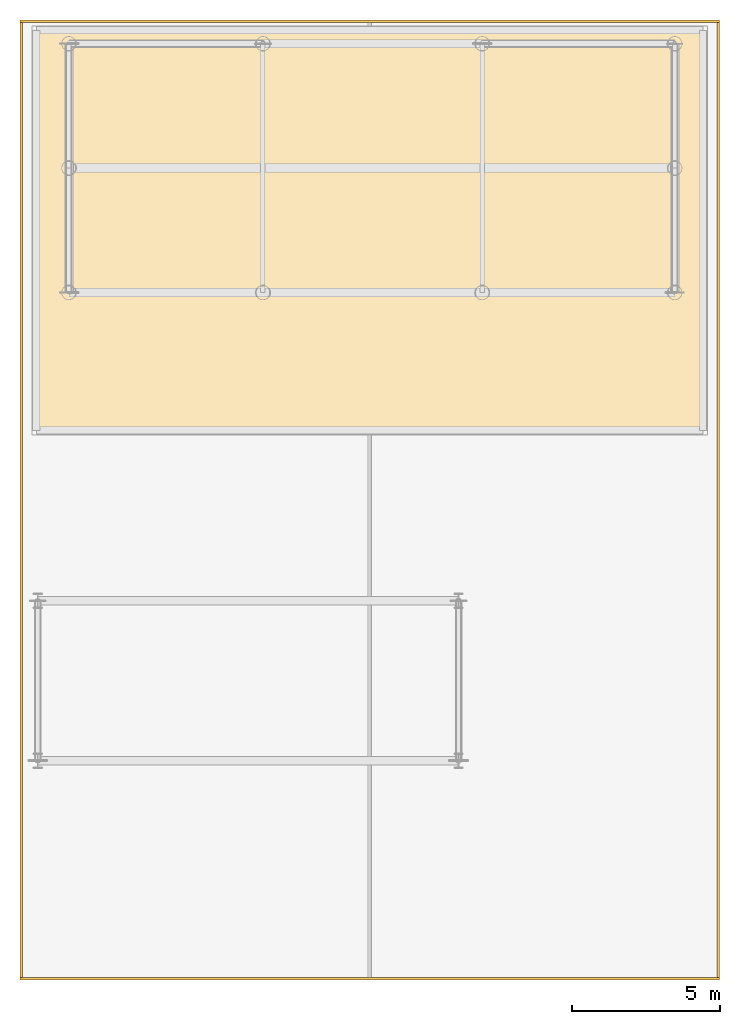
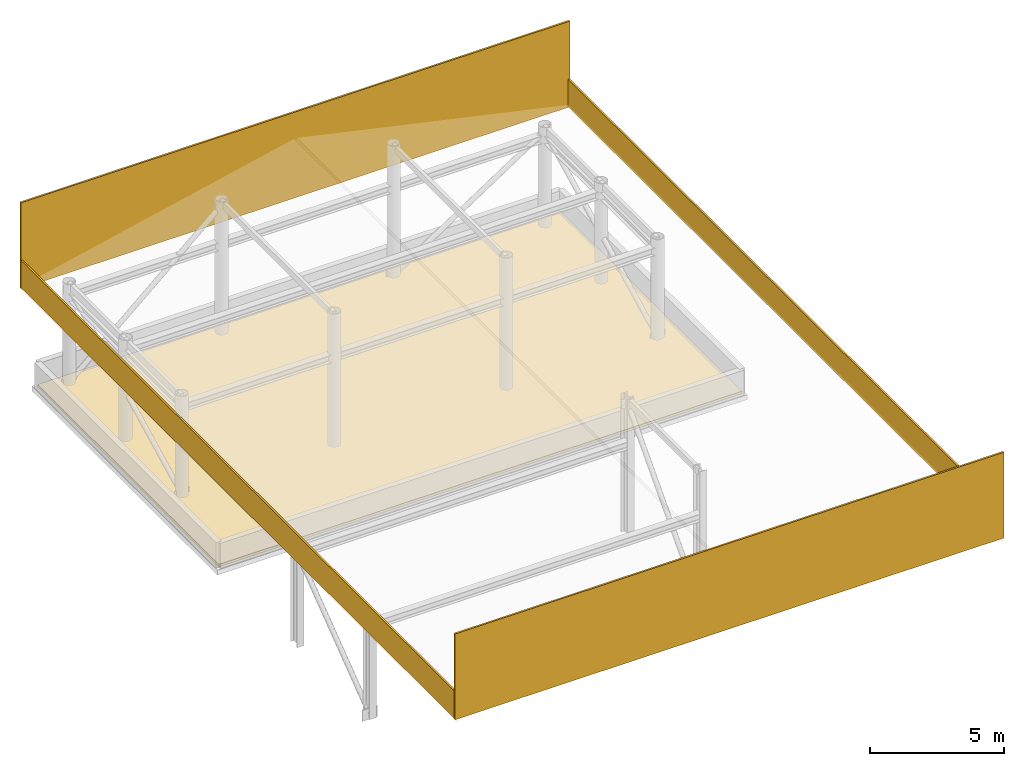
# One storey, part 2 of 2: 5 coverings.
"""IFC4 building model written with IfcOpenShell, lengths in metres."""

import ifcopenshell
import ifcopenshell.guid

model = None  # the IFC model being written
_history = None  # IfcOwnerHistory: only IFC2X3 demands one
_inside = {}  # id of a spatial element -> (the spatial element, [elements in it])
_under = {}  # id of a project, library or spatial element -> (it, [spatial elements below it])
_declared = {}  # id of a project -> (the project, [libraries it declares])
_typed = {}  # id of a type object -> (the type object, [elements of that type])
_made_of = {}  # id of a material, layer set ... -> (it, [elements and type objects made of it])


def new_model(schema):
    """Start an empty IFC model of exactly this schema.

    Asked for "IFC4X3", IfcOpenShell would pick the latest addendum, in which some entities
    have other attributes; the version numbers below select the first issue.
    IFC2X3 requires an IfcOwnerHistory on every rooted entity: one is made here for all.
    """
    global model, _history
    if schema == "IFC4X3":
        model = ifcopenshell.file(schema_version=(4, 3, 0, 0))
    else:
        model = ifcopenshell.file(schema=schema)
    _inside.clear()
    _under.clear()
    _declared.clear()
    _typed.clear()
    _made_of.clear()
    _history = None
    if model.schema == "IFC2X3":
        org = make("IfcOrganization", Name="unknown")
        user = make(
            "IfcPersonAndOrganization",
            ThePerson=make("IfcPerson", FamilyName="unknown"),
            TheOrganization=org,
        )
        app = make(
            "IfcApplication",
            ApplicationDeveloper=org,
            Version="unknown",
            ApplicationFullName="unknown",
            ApplicationIdentifier="unknown",
        )
        _history = make(
            "IfcOwnerHistory",
            OwningUser=user,
            OwningApplication=app,
            ChangeAction="ADDED",
            CreationDate=0,
        )
    return model


def make(cls, **values):
    """One entity of the class cls with the attributes given. An attribute that is None is left unset."""
    return model.create_entity(
        cls, **{name: value for name, value in values.items() if value is not None}
    )


def rooted(cls, **values):
    """An entity with a GlobalId (a new one), such as an element, a storey or a relation."""
    return make(cls, GlobalId=ifcopenshell.guid.new(), OwnerHistory=_history, **values)


def si_unit(unit_type, name, prefix=None):
    """IfcSIUnit, for example si_unit("LENGTHUNIT", "METRE", prefix="MILLI")."""
    return make("IfcSIUnit", UnitType=unit_type, Prefix=prefix, Name=name)


def assignment(units):
    """IfcUnitAssignment: the units of a project."""
    return None if units is None else make("IfcUnitAssignment", Units=units)


def point(xyz):
    """IfcCartesianPoint."""
    return None if xyz is None else make("IfcCartesianPoint", Coordinates=xyz)


def direction(xyz):
    """IfcDirection."""
    return None if xyz is None else make("IfcDirection", DirectionRatios=xyz)


def frame(location, z_axis=None, x_axis=None):
    """IfcAxis2Placement3D, a coordinate frame: its origin and axes. An axis left out is left unset."""
    return make(
        "IfcAxis2Placement3D",
        Location=point(location),
        Axis=direction(z_axis),
        RefDirection=direction(x_axis),
    )


def frame_2d(location, x_axis=None):
    """IfcAxis2Placement2D, a coordinate frame in the plane: its origin and x axis."""
    return make(
        "IfcAxis2Placement2D", Location=point(location), RefDirection=direction(x_axis)
    )


def origin():
    """The frame at (0, 0, 0) with its axes left unset."""
    return frame((0.0, 0.0, 0.0))


def origin_2d():
    """The frame at (0, 0) in the plane with its x axis left unset."""
    return frame_2d((0.0, 0.0))


def place(relative_to, where):
    """IfcLocalPlacement: puts the frame where relative to a parent placement (None: the world)."""
    return make(
        "IfcLocalPlacement", PlacementRelTo=relative_to, RelativePlacement=where
    )


def context(
    kind, dimensions, precision=None, world=None, true_north=None, identifier=None
):
    """IfcGeometricRepresentationContext, for example the 3D "Model" context."""
    return make(
        "IfcGeometricRepresentationContext",
        ContextIdentifier=identifier,
        ContextType=kind,
        CoordinateSpaceDimension=dimensions,
        Precision=precision,
        WorldCoordinateSystem=world,
        TrueNorth=true_north,
    )


def subcontext(parent, identifier, kind, view, scale=None):
    """IfcGeometricRepresentationSubContext, for example "Body" below "Model"."""
    return make(
        "IfcGeometricRepresentationSubContext",
        ContextIdentifier=identifier,
        ContextType=kind,
        ParentContext=parent,
        TargetScale=scale,
        TargetView=view,
    )


def project(units=None, contexts=None):
    """IfcProject with its units and contexts."""
    return rooted(
        "IfcProject",
        Name="project",
        RepresentationContexts=contexts,
        UnitsInContext=assignment(units),
    )


def spatial(cls, under=None, at=None, **own):
    """A site, building, storey or space (cls), placed at a placement, below another one or the project."""
    s = rooted(cls, ObjectPlacement=at, **own)
    if under is not None:
        _under.setdefault(under.id(), (under, []))[1].append(s)
    return s


def polyline(points):
    """IfcPolyline through the points."""
    return make("IfcPolyline", Points=[point(p) for p in points])


def profile(cls, at=None, kind="AREA", **sizes):
    """A parametric profile (cls). Its sizes go by their IFC names, for example OverallWidth=200.0."""
    return make(cls, ProfileType=kind, Position=at, **sizes)


def rectangle(**sizes):
    """IfcRectangleProfileDef."""
    return profile("IfcRectangleProfileDef", **sizes)


def outline(outer, holes=None, kind="AREA"):
    """IfcArbitraryClosedProfileDef: a profile drawn as a closed curve; with holes, ...WithVoids."""
    if holes is None:
        return make("IfcArbitraryClosedProfileDef", ProfileType=kind, OuterCurve=outer)
    return make(
        "IfcArbitraryProfileDefWithVoids",
        ProfileType=kind,
        OuterCurve=outer,
        InnerCurves=holes,
    )


def extrude(swept, where, along, depth):
    """IfcExtrudedAreaSolid: the profile swept, set in the frame where, extruded along a direction by depth."""
    return make(
        "IfcExtrudedAreaSolid",
        SweptArea=swept,
        Position=where,
        ExtrudedDirection=direction(along),
        Depth=depth,
    )


def shape(context_of_items, identifier, shape_type, items):
    """IfcShapeRepresentation: the items that make up one representation, for example the "Body"."""
    return make(
        "IfcShapeRepresentation",
        ContextOfItems=context_of_items,
        RepresentationIdentifier=identifier,
        RepresentationType=shape_type,
        Items=items,
    )


def material(Name=None, Category=None):
    """IfcMaterial."""
    return make("IfcMaterial", Name=Name, Category=Category)


def layer(
    of_material, thickness, ventilated=None, Name=None, Category=None, Priority=None
):
    """IfcMaterialLayer: one layer of a wall or slab, of a material (None: an air gap)."""
    return make(
        "IfcMaterialLayer",
        Material=of_material,
        LayerThickness=thickness,
        IsVentilated=ventilated,
        Name=Name,
        Category=Category,
        Priority=Priority,
    )


def layer_set(layers, Name=None):
    """IfcMaterialLayerSet."""
    return make("IfcMaterialLayerSet", MaterialLayers=layers, LayerSetName=Name)


def made_of(thing, what):
    """Note that an element or type object is made of a material, layer set ...; save() writes the relation."""
    if what is not None:
        _made_of.setdefault(what.id(), (what, []))[1].append(thing)
    return thing


def type_object(cls, material=None, **own):
    """A type object (cls), such as IfcWallType, which elements share."""
    return made_of(rooted(cls, **own), material)


def element(
    cls,
    number,
    at=None,
    inside=None,
    cuts=None,
    type_object=None,
    material=None,
    context=None,
    identifier="Body",
    shape_type=None,
    held_by="IfcProductDefinitionShape",
    body=None,
    shapes=None,
    **own,
):
    """One element of the class cls, such as IfcWall. Its Tag is "e" and its number.

    at: its placement. inside: the storey or other place that contains it. cuts: it is an
    opening in that element (IfcRelVoidsElement). A single representation is given by context,
    identifier, shape_type and body (its items); several are given by shapes. held_by: the class
    of the entity that holds the representations. save() writes the other relations.
    """
    e = rooted(cls, Tag="e%d" % number, ObjectPlacement=at, **own)
    if body is not None:
        shapes = [shape(context, identifier, shape_type, body)]
    if shapes is not None:
        e.Representation = make(held_by, Representations=shapes)
    if inside is not None:
        _inside.setdefault(inside.id(), (inside, []))[1].append(e)
    if cuts is not None:
        rooted(
            "IfcRelVoidsElement", RelatingBuildingElement=cuts, RelatedOpeningElement=e
        )
    if type_object is not None:
        _typed.setdefault(type_object.id(), (type_object, []))[1].append(e)
    return made_of(e, material)


def aggregate(whole, parts):
    """IfcRelAggregates: a whole, such as a stair, and the parts it consists of."""
    return rooted("IfcRelAggregates", RelatingObject=whole, RelatedObjects=parts)


def save(model, path):
    """Write the relations noted so far, then the file.

    IfcRelAggregates (storeys below a building ...), IfcRelContainedInSpatialStructure (elements
    in a storey), IfcRelDefinesByType, IfcRelAssociatesMaterial and IfcRelDeclares: one each for
    every whole, place, type object, material and project.
    """
    for whole, parts in _under.values():
        aggregate(whole, parts)
    for where, things in _inside.values():
        rooted(
            "IfcRelContainedInSpatialStructure",
            RelatedElements=things,
            RelatingStructure=where,
        )
    for kind, things in _typed.values():
        rooted("IfcRelDefinesByType", RelatedObjects=things, RelatingType=kind)
    for what, things in _made_of.values():
        rooted("IfcRelAssociatesMaterial", RelatedObjects=things, RelatingMaterial=what)
    for by, libraries in _declared.values():
        rooted("IfcRelDeclares", RelatingContext=by, RelatedDefinitions=libraries)
    model.write(path)


model = new_model("IFC4")

# Units and contexts
model_context = context("Model", 3, precision=1e-05, world=origin(), true_north=direction((0.0, 1.0)))
body_context = subcontext(model_context, "Body", "Model", "MODEL_VIEW")
ifc_project = project(units=[si_unit("LENGTHUNIT", "METRE"), si_unit("AREAUNIT", "SQUARE_METRE"), si_unit("VOLUMEUNIT", "CUBIC_METRE"), si_unit("PLANEANGLEUNIT", "RADIAN"), si_unit("MASSUNIT", "GRAM", prefix="KILO")], contexts=[model_context])

# Site, building, storey
site_placement = place(None, origin())
site = spatial("IfcSite", under=ifc_project, at=site_placement, CompositionType="ELEMENT")
building_placement = place(site_placement, origin())
building = spatial("IfcBuilding", under=site, at=building_placement, Name="Kuzgunbayir Cultural Tower", CompositionType="ELEMENT")
storey_placement = place(building_placement, frame((0.0, 0.0, 254.199951171875)))
storey = spatial("IfcBuildingStorey", under=building, at=storey_placement, Name="RF1", CompositionType="ELEMENT", Elevation=254.199951171875)

# Coverings
ifc_material_1 = material(Name="Perforated Bronze-Anodised Aluminium", Category="aluminium")
ifc_layer_1 = layer(ifc_material_1, 0.080078125)
ifc_layer_set_1 = layer_set([ifc_layer_1], Name="Perforated Bronze-Anodised Aluminium")
covering_type_1 = type_object("IfcCoveringType", Name="COV-CLAD-BRONZE-8", PredefinedType="CLADDING", material=ifc_layer_set_1)
for number, where, z_axis, x_axis, name in (
    (1, (16.60009765625, 10.639892578125, 4.5), (0.0, 0.0, 1.0), (1.0, 0.0, 0.0), "RF1 Crest Canopy South Rake Fascia"),
    (2, (16.60009765625, 42.9599609375, 4.5), (0.0, 0.0, 1.0), (1.0, 0.0, 0.0), "RF1 Crest Canopy North Rake Fascia"),
):
    element("IfcCovering", number, at=place(storey_placement, frame(where, z_axis=z_axis, x_axis=x_axis)), inside=storey, type_object=covering_type_1, Name=name, PredefinedType="CLADDING", context=body_context, shape_type="SweptSolid", body=[
        extrude(rectangle(XDim=23.60009765625, YDim=0.080078125, at=origin_2d()), origin(), (0.0, 0.0, 1.0), 3.89990234375),
    ])
for number, where, z_axis, x_axis, name in (
    (3, (4.840087890625, 26.800048828125, 4.525146484375), (0.0, 0.0, 1.0), (1.0, 0.0, 0.0), "RF1 Crest Canopy West Eaves Fascia"),
    (4, (28.360107421875, 26.800048828125, 4.525146484375), (0.0, 0.0, 1.0), (1.0, 0.0, 0.0), "RF1 Crest Canopy East Eaves Fascia"),
):
    element("IfcCovering", number, at=place(storey_placement, frame(where, z_axis=z_axis, x_axis=x_axis)), inside=storey, type_object=covering_type_1, Name=name, PredefinedType="CLADDING", context=body_context, shape_type="SweptSolid", body=[
        extrude(rectangle(XDim=0.080078125, YDim=32.39990234375, at=origin_2d()), origin(), (0.0, 0.0, 1.0), 1.25),
    ])
ifc_material_2 = material(Name="Anatolian Cream Limestone", Category="masonry")
ifc_layer_2 = layer(ifc_material_2, 0.1201171875)
ifc_layer_set_2 = layer_set([ifc_layer_2], Name="Anatolian Cream Limestone")
covering_type_2 = type_object("IfcCoveringType", Name="COV-ROOF-STONE-12", PredefinedType="ROOFING", material=ifc_layer_set_2)
covering_placement = place(storey_placement, origin())
element("IfcCovering", 5, at=covering_placement, inside=storey, type_object=covering_type_2, Name="RF1 Warm Limestone Ballasted Roof Covering", PredefinedType="ROOFING", context=body_context, shape_type="SweptSolid", body=[
    extrude(outline(polyline([(5.35009765625, 29.14990234375), (27.85009765625, 29.14990234375), (27.85009765625, 42.64990234375), (5.35009765625, 42.64990234375), (5.35009765625, 29.14990234375)])), origin(), (0.0, 0.0, 1.0), 0.1201171875),
])

save(model, "model.ifc")
